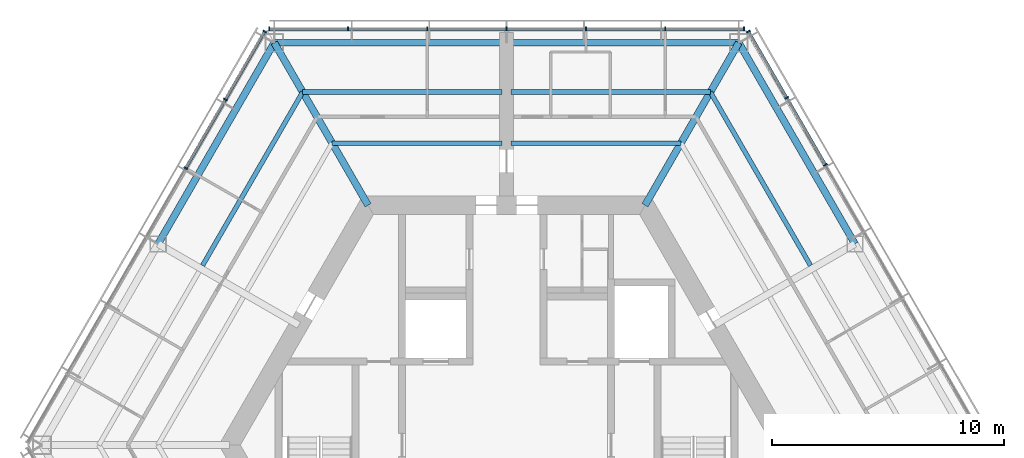
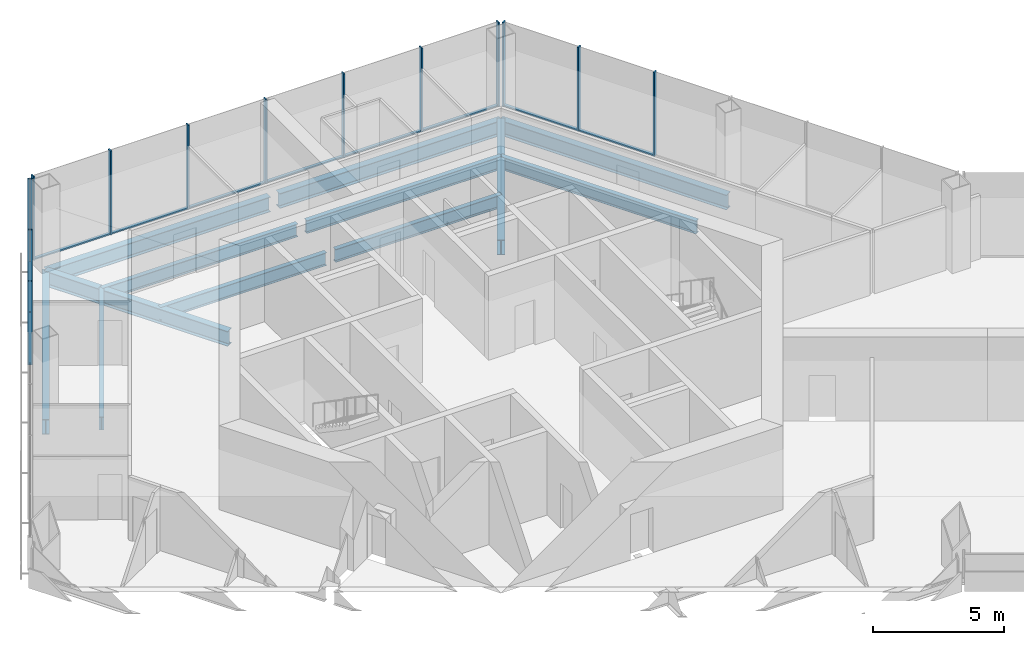
# One storey, part 5 of 13: 23 members, 12 beams, 3 elements without a shape of their own.
"""IFC4 building model written with IfcOpenShell, lengths in metres."""

from ifc_helpers import new_model, si_unit, direction, frame, origin, origin_2d, place, context, subcontext, project, spatial, rectangle, i_section, extrude, material, material_profile, profile_set, type_object, element, aggregate, save


model = new_model("IFC4")

# Units and contexts
model_context = context("Model", 3, precision=1e-05, world=origin(), true_north=direction((0.0, 1.0)))
body_context = subcontext(model_context, "Body", "Model", "MODEL_VIEW")
ifc_project = project(units=[si_unit("LENGTHUNIT", "METRE"), si_unit("AREAUNIT", "SQUARE_METRE"), si_unit("VOLUMEUNIT", "CUBIC_METRE"), si_unit("PLANEANGLEUNIT", "RADIAN"), si_unit("MASSUNIT", "GRAM", prefix="KILO")], contexts=[model_context])

# Site, building, storey
site_placement = place(None, origin())
site = spatial("IfcSite", under=ifc_project, at=site_placement, CompositionType="ELEMENT")
building_placement = place(site_placement, origin())
building = spatial("IfcBuilding", under=site, at=building_placement, Name="Kasaneha Research Tower", CompositionType="ELEMENT")
storey_placement = place(building_placement, frame((0.0, 0.0, 290.800048828125)))
storey = spatial("IfcBuildingStorey", under=building, at=storey_placement, Name="L73", CompositionType="ELEMENT", Elevation=290.800048828125)

# Beams
ifc_material_1 = material(Name="Steel SN490B", Category="steel")
ifc_material_profile_1 = material_profile(ifc_material_1, i_section(OverallWidth=0.199951171875, OverallDepth=0.60009765625, WebThickness=0.010986328125, FlangeThickness=0.01708984375, FilletRadius=0.012939453125, at=origin_2d()), Name="H-600x200x11x17")
ifc_profile_set_1 = profile_set([ifc_material_profile_1], Name="Steel SN490B")
beam_type_1 = type_object("IfcBeamType", Name="B1-3 secondary beam H-600x200x11x17", PredefinedType="JOIST", material=ifc_profile_set_1)
beam_1_placement = place(storey_placement, frame((8.775634765625, 15.199951171875, -0.449951171875), z_axis=(0.500017275495, -0.866015429543, 0.0), x_axis=(0.866015429543, 0.500017275495, 0.0)))
element("IfcBeam", 1, at=beam_1_placement, inside=storey, type_object=beam_type_1, Name="Secondary beam RS030R2 L73", PredefinedType="JOIST", context=body_context, shape_type="SweptSolid", body=[
    extrude(i_section(OverallWidth=0.199951171875, OverallDepth=0.60009765625, WebThickness=0.010986328125, FlangeThickness=0.01708984375, FilletRadius=0.012939453125, at=origin_2d()), origin(), (0.0, 0.0, 1.0), 8.625732421875),
])
beam_2_placement = place(storey_placement, frame((7.505615234375, 13.0, -0.449951171875), z_axis=(-1.0, 0.0, 0.0), x_axis=(0.0, -1.0, 0.0)))
element("IfcBeam", 2, at=beam_2_placement, inside=storey, type_object=beam_type_1, Name="Secondary beam RS090L1 L73", PredefinedType="JOIST", context=body_context, shape_type="SweptSolid", body=[
    extrude(i_section(OverallWidth=0.199951171875, OverallDepth=0.60009765625, WebThickness=0.010986328125, FlangeThickness=0.01708984375, FilletRadius=0.012939453125, at=origin_2d()), origin(), (0.0, 0.0, 1.0), 7.3056640625),
])
beam_3_placement = place(storey_placement, frame((8.775634765625, 15.199951171875, -0.449951171875), z_axis=(-1.0, 0.0, 0.0), x_axis=(0.0, -1.0, 0.0)))
element("IfcBeam", 3, at=beam_3_placement, inside=storey, type_object=beam_type_1, Name="Secondary beam RS090L2 L73", PredefinedType="JOIST", context=body_context, shape_type="SweptSolid", body=[
    extrude(i_section(OverallWidth=0.199951171875, OverallDepth=0.60009765625, WebThickness=0.010986328125, FlangeThickness=0.01708984375, FilletRadius=0.012939453125, at=origin_2d()), origin(), (0.0, 0.0, 1.0), 8.57568359375),
])
beam_4_placement = place(storey_placement, frame((-7.505615234375, 13.0, -0.449951171875), z_axis=(1.0, 0.0, 0.0), x_axis=(0.0, 1.0, 0.0)))
element("IfcBeam", 4, at=beam_4_placement, inside=storey, type_object=beam_type_1, Name="Secondary beam RS090R1 L73", PredefinedType="JOIST", context=body_context, shape_type="SweptSolid", body=[
    extrude(i_section(OverallWidth=0.199951171875, OverallDepth=0.60009765625, WebThickness=0.010986328125, FlangeThickness=0.01708984375, FilletRadius=0.012939453125, at=origin_2d()), origin(), (0.0, 0.0, 1.0), 7.3056640625),
])
beam_5_placement = place(storey_placement, frame((-8.775634765625, 15.199951171875, -0.449951171875), z_axis=(1.0, 0.0, 0.0), x_axis=(0.0, 1.0, 0.0)))
element("IfcBeam", 5, at=beam_5_placement, inside=storey, type_object=beam_type_1, Name="Secondary beam RS090R2 L73", PredefinedType="JOIST", context=body_context, shape_type="SweptSolid", body=[
    extrude(i_section(OverallWidth=0.199951171875, OverallDepth=0.60009765625, WebThickness=0.010986328125, FlangeThickness=0.01708984375, FilletRadius=0.012939453125, at=origin_2d()), origin(), (0.0, 0.0, 1.0), 8.57568359375),
])
beam_6_placement = place(storey_placement, frame((-8.775634765625, 15.199951171875, -0.449951171875), z_axis=(-0.500017275495, -0.866015429543, 0.0), x_axis=(0.866015429543, -0.500017275495, 0.0)))
element("IfcBeam", 6, at=beam_6_placement, inside=storey, type_object=beam_type_1, Name="Secondary beam RS150L2 L73", PredefinedType="JOIST", context=body_context, shape_type="SweptSolid", body=[
    extrude(i_section(OverallWidth=0.199951171875, OverallDepth=0.60009765625, WebThickness=0.010986328125, FlangeThickness=0.01708984375, FilletRadius=0.012939453125, at=origin_2d()), origin(), (0.0, 0.0, 1.0), 8.625732421875),
])

# Curtain wall, members
ifc_material_2 = material(Name="Glass and aluminium", Category="aluminium")
curtain_wall_type = type_object("IfcCurtainWallType", Name="Crown curtain wall", PredefinedType="USERDEFINED", material=ifc_material_2)
curtain_wall_1_placement = place(storey_placement, origin())
curtain_wall_1 = element("IfcCurtainWall", 7, at=curtain_wall_1_placement, inside=storey, type_object=curtain_wall_type, Name="CW-C L73 run 01a", ObjectType="UNITISED CURTAIN WALL", PredefinedType="USERDEFINED")
ifc_material_3 = material(Name="Aluminium 6063-T6", Category="aluminium")
ifc_material_profile_2 = material_profile(ifc_material_3, rectangle(XDim=0.06005859375, YDim=0.179931640625, at=origin_2d()), Name="CW-C mullion 60x180")
ifc_profile_set_2 = profile_set([ifc_material_profile_2], Name="Aluminium 6063-T6")
member_type_1 = type_object("IfcMemberType", Name="CW-C mullion", PredefinedType="MULLION", material=ifc_profile_set_2)
member_1_placement = place(storey_placement, frame((13.727294921875, 12.064453125, 0.0), z_axis=(0.0, 0.0, 1.0), x_axis=(-0.499999979232, 0.866025415775, 0.0)))
member_1 = element("IfcMember", 8, at=member_1_placement, type_object=member_type_1, Name="CW-C mullion 5", PredefinedType="MULLION", context=body_context, shape_type="SweptSolid", body=[
    extrude(rectangle(XDim=0.06005859375, YDim=0.179931640625, at=origin_2d()), origin(), (0.0, 0.0, 1.0), 3.89990234375),
])
member_2_placement = place(storey_placement, frame((12.061767578125, 14.94921875, 0.0), z_axis=(0.0, 0.0, 1.0), x_axis=(-0.499999979232, 0.866025415775, 0.0)))
member_2 = element("IfcMember", 9, at=member_2_placement, type_object=member_type_1, Name="CW-C mullion 6", PredefinedType="MULLION", context=body_context, shape_type="SweptSolid", body=[
    extrude(rectangle(XDim=0.06005859375, YDim=0.179931640625, at=origin_2d()), origin(), (0.0, 0.0, 1.0), 3.89990234375),
])
member_3_placement = place(storey_placement, frame((10.411376953125, 17.807861328125, 0.0), z_axis=(0.0, 0.0, 1.0), x_axis=(-0.499999979232, 0.866025415775, 0.0)))
member_3 = element("IfcMember", 10, at=member_3_placement, type_object=member_type_1, Name="CW-C mullion 7", PredefinedType="MULLION", context=body_context, shape_type="SweptSolid", body=[
    extrude(rectangle(XDim=0.06005859375, YDim=0.179931640625, at=origin_2d()), origin(), (0.0, 0.0, 1.0), 3.89990234375),
])

curtain_wall_2_placement = place(storey_placement, origin())
curtain_wall_2 = element("IfcCurtainWall", 11, at=curtain_wall_2_placement, inside=storey, type_object=curtain_wall_type, Name="CW-C L73 run 02a", ObjectType="UNITISED CURTAIN WALL", PredefinedType="USERDEFINED")
member_4_placement = place(storey_placement, frame((10.21630859375, 17.92041015625, 0.0), z_axis=(0.0, 0.0, 1.0), x_axis=(-1.0, 0.0, 0.0)))
member_4 = element("IfcMember", 12, at=member_4_placement, type_object=member_type_1, Name="CW-C mullion 1", PredefinedType="MULLION", context=body_context, shape_type="SweptSolid", body=[
    extrude(rectangle(XDim=0.06005859375, YDim=0.179931640625, at=origin_2d()), origin(), (0.0, 0.0, 1.0), 3.89990234375),
])
member_5_placement = place(storey_placement, frame((6.8310546875, 17.92041015625, 0.0), z_axis=(0.0, 0.0, 1.0), x_axis=(-1.0, 0.0, 0.0)))
member_5 = element("IfcMember", 13, at=member_5_placement, type_object=member_type_1, Name="CW-C mullion 2", PredefinedType="MULLION", context=body_context, shape_type="SweptSolid", body=[
    extrude(rectangle(XDim=0.06005859375, YDim=0.179931640625, at=origin_2d()), origin(), (0.0, 0.0, 1.0), 3.89990234375),
])
member_6_placement = place(storey_placement, frame((3.41552734375, 17.92041015625, 0.0), z_axis=(0.0, 0.0, 1.0), x_axis=(-1.0, 0.0, 0.0)))
member_6 = element("IfcMember", 14, at=member_6_placement, type_object=member_type_1, Name="CW-C mullion 3", PredefinedType="MULLION", context=body_context, shape_type="SweptSolid", body=[
    extrude(rectangle(XDim=0.06005859375, YDim=0.179931640625, at=origin_2d()), origin(), (0.0, 0.0, 1.0), 3.89990234375),
])
member_7_placement = place(storey_placement, frame((0.0, 17.92041015625, 0.0), z_axis=(0.0, 0.0, 1.0), x_axis=(-1.0, 0.0, 0.0)))
member_7 = element("IfcMember", 15, at=member_7_placement, type_object=member_type_1, Name="CW-C mullion 4", PredefinedType="MULLION", context=body_context, shape_type="SweptSolid", body=[
    extrude(rectangle(XDim=0.06005859375, YDim=0.179931640625, at=origin_2d()), origin(), (0.0, 0.0, 1.0), 3.89990234375),
])
member_8_placement = place(storey_placement, frame((-3.41552734375, 17.92041015625, 0.0), z_axis=(0.0, 0.0, 1.0), x_axis=(-1.0, 0.0, 0.0)))
member_8 = element("IfcMember", 16, at=member_8_placement, type_object=member_type_1, Name="CW-C mullion 5", PredefinedType="MULLION", context=body_context, shape_type="SweptSolid", body=[
    extrude(rectangle(XDim=0.06005859375, YDim=0.179931640625, at=origin_2d()), origin(), (0.0, 0.0, 1.0), 3.89990234375),
])
member_9_placement = place(storey_placement, frame((-6.8310546875, 17.92041015625, 0.0), z_axis=(0.0, 0.0, 1.0), x_axis=(-1.0, 0.0, 0.0)))
member_9 = element("IfcMember", 17, at=member_9_placement, type_object=member_type_1, Name="CW-C mullion 6", PredefinedType="MULLION", context=body_context, shape_type="SweptSolid", body=[
    extrude(rectangle(XDim=0.06005859375, YDim=0.179931640625, at=origin_2d()), origin(), (0.0, 0.0, 1.0), 3.89990234375),
])
member_10_placement = place(storey_placement, frame((-10.21630859375, 17.92041015625, 0.0), z_axis=(0.0, 0.0, 1.0), x_axis=(-1.0, 0.0, 0.0)))
member_10 = element("IfcMember", 18, at=member_10_placement, type_object=member_type_1, Name="CW-C mullion 7", PredefinedType="MULLION", context=body_context, shape_type="SweptSolid", body=[
    extrude(rectangle(XDim=0.06005859375, YDim=0.179931640625, at=origin_2d()), origin(), (0.0, 0.0, 1.0), 3.89990234375),
])

curtain_wall_3_placement = place(storey_placement, origin())
curtain_wall_3 = element("IfcCurtainWall", 19, at=curtain_wall_3_placement, inside=storey, type_object=curtain_wall_type, Name="CW-C L73 run 03a", ObjectType="UNITISED CURTAIN WALL", PredefinedType="USERDEFINED")
member_11_placement = place(storey_placement, frame((-10.411376953125, 17.807861328125, 0.0), z_axis=(0.0, 0.0, 1.0), x_axis=(-0.499999995722, -0.866025406254, 0.0)))
member_11 = element("IfcMember", 20, at=member_11_placement, type_object=member_type_1, Name="CW-C mullion 1", PredefinedType="MULLION", context=body_context, shape_type="SweptSolid", body=[
    extrude(rectangle(XDim=0.06005859375, YDim=0.179931640625, at=origin_2d()), origin(), (0.0, 0.0, 1.0), 3.89990234375),
])
member_12_placement = place(storey_placement, frame((-12.104248046875, 14.8759765625, 0.0), z_axis=(0.0, 0.0, 1.0), x_axis=(-0.499999995722, -0.866025406254, 0.0)))
member_12 = element("IfcMember", 21, at=member_12_placement, type_object=member_type_1, Name="CW-C mullion 2", PredefinedType="MULLION", context=body_context, shape_type="SweptSolid", body=[
    extrude(rectangle(XDim=0.06005859375, YDim=0.179931640625, at=origin_2d()), origin(), (0.0, 0.0, 1.0), 3.89990234375),
])
member_13_placement = place(storey_placement, frame((-13.811767578125, 11.918212890625, 0.0), z_axis=(0.0, 0.0, 1.0), x_axis=(-0.499999995722, -0.866025406254, 0.0)))
member_13 = element("IfcMember", 22, at=member_13_placement, type_object=member_type_1, Name="CW-C mullion 3", PredefinedType="MULLION", context=body_context, shape_type="SweptSolid", body=[
    extrude(rectangle(XDim=0.06005859375, YDim=0.179931640625, at=origin_2d()), origin(), (0.0, 0.0, 1.0), 3.89990234375),
])

# Member
ifc_material_4 = material(Name="Aluminium 6063-T6", Category="aluminium")
ifc_material_profile_3 = material_profile(ifc_material_4, rectangle(XDim=0.1298828125, YDim=0.06005859375, at=origin_2d()), Name="CW-C transom 130x60")
ifc_profile_set_3 = profile_set([ifc_material_profile_3], Name="Aluminium 6063-T6")
member_type_2 = type_object("IfcMemberType", Name="CW-C transom", PredefinedType="USERDEFINED", material=ifc_profile_set_3)
member_14_placement = place(storey_placement, frame((13.71240234375, 12.090576171875, 0.030029296875), z_axis=(-0.500000270186, 0.866025247793, 0.0), x_axis=(-0.866025247793, -0.500000270186, 0.0)))
member_14 = element("IfcMember", 23, at=member_14_placement, type_object=member_type_2, Name="CW-C transom 5", ObjectType="TRANSOM", PredefinedType="USERDEFINED", context=body_context, shape_type="SweptSolid", body=[
    extrude(rectangle(XDim=0.1298828125, YDim=0.06005859375, at=origin_2d()), origin(), (0.0, 0.0, 1.0), 3.27099609375),
])

member_15_placement = place(storey_placement, frame((12.046875, 14.97509765625, 0.030029296875), z_axis=(-0.499955025697, 0.866051368154, 0.0), x_axis=(-0.866051368154, -0.499955025697, 0.0)))
member_15 = element("IfcMember", 24, at=member_15_placement, type_object=member_type_2, Name="CW-C transom 6", ObjectType="TRANSOM", PredefinedType="USERDEFINED", context=body_context, shape_type="SweptSolid", body=[
    extrude(rectangle(XDim=0.1298828125, YDim=0.06005859375, at=origin_2d()), origin(), (0.0, 0.0, 1.0), 3.240966796875),
])

aggregate(curtain_wall_1, [member_1, member_2, member_3, member_14, member_15])

member_16_placement = place(storey_placement, frame((10.1865234375, 17.92041015625, 0.030029296875), z_axis=(-1.0, 0.0, 0.0), x_axis=(0.0, -1.0, 0.0)))
member_16 = element("IfcMember", 25, at=member_16_placement, type_object=member_type_2, Name="CW-C transom 1", ObjectType="TRANSOM", PredefinedType="USERDEFINED", context=body_context, shape_type="SweptSolid", body=[
    extrude(rectangle(XDim=0.1298828125, YDim=0.06005859375, at=origin_2d()), origin(), (0.0, 0.0, 1.0), 3.32568359375),
])

member_17_placement = place(storey_placement, frame((6.801025390625, 17.92041015625, 0.030029296875), z_axis=(-1.0, 0.0, 0.0), x_axis=(0.0, -1.0, 0.0)))
member_17 = element("IfcMember", 26, at=member_17_placement, type_object=member_type_2, Name="CW-C transom 2", ObjectType="TRANSOM", PredefinedType="USERDEFINED", context=body_context, shape_type="SweptSolid", body=[
    extrude(rectangle(XDim=0.1298828125, YDim=0.06005859375, at=origin_2d()), origin(), (0.0, 0.0, 1.0), 3.35546875),
])

member_18_placement = place(storey_placement, frame((3.385498046875, 17.92041015625, 0.030029296875), z_axis=(-1.0, 0.0, 0.0), x_axis=(0.0, -1.0, 0.0)))
member_18 = element("IfcMember", 27, at=member_18_placement, type_object=member_type_2, Name="CW-C transom 3", ObjectType="TRANSOM", PredefinedType="USERDEFINED", context=body_context, shape_type="SweptSolid", body=[
    extrude(rectangle(XDim=0.1298828125, YDim=0.06005859375, at=origin_2d()), origin(), (0.0, 0.0, 1.0), 3.35546875),
])

member_19_placement = place(storey_placement, frame((-0.030029296875, 17.92041015625, 0.030029296875), z_axis=(-1.0, 0.0, 0.0), x_axis=(0.0, -1.0, 0.0)))
member_19 = element("IfcMember", 28, at=member_19_placement, type_object=member_type_2, Name="CW-C transom 4", ObjectType="TRANSOM", PredefinedType="USERDEFINED", context=body_context, shape_type="SweptSolid", body=[
    extrude(rectangle(XDim=0.1298828125, YDim=0.06005859375, at=origin_2d()), origin(), (0.0, 0.0, 1.0), 3.35546875),
])

member_20_placement = place(storey_placement, frame((-3.445556640625, 17.92041015625, 0.030029296875), z_axis=(-1.0, 0.0, 0.0), x_axis=(0.0, -1.0, 0.0)))
member_20 = element("IfcMember", 29, at=member_20_placement, type_object=member_type_2, Name="CW-C transom 5", ObjectType="TRANSOM", PredefinedType="USERDEFINED", context=body_context, shape_type="SweptSolid", body=[
    extrude(rectangle(XDim=0.1298828125, YDim=0.06005859375, at=origin_2d()), origin(), (0.0, 0.0, 1.0), 3.35546875),
])

member_21_placement = place(storey_placement, frame((-6.86083984375, 17.92041015625, 0.030029296875), z_axis=(-1.0, 0.0, 0.0), x_axis=(0.0, -1.0, 0.0)))
member_21 = element("IfcMember", 30, at=member_21_placement, type_object=member_type_2, Name="CW-C transom 6", ObjectType="TRANSOM", PredefinedType="USERDEFINED", context=body_context, shape_type="SweptSolid", body=[
    extrude(rectangle(XDim=0.1298828125, YDim=0.06005859375, at=origin_2d()), origin(), (0.0, 0.0, 1.0), 3.32568359375),
])

aggregate(curtain_wall_2, [member_4, member_5, member_6, member_7, member_8, member_9, member_10, member_16, member_17, member_18, member_19, member_20, member_21])

member_22_placement = place(storey_placement, frame((-10.426513671875, 17.781982421875, 0.030029296875), z_axis=(-0.49997666526, -0.866038875684, 0.0), x_axis=(0.866038875684, -0.49997666526, 0.0)))
member_22 = element("IfcMember", 31, at=member_22_placement, type_object=member_type_2, Name="CW-C transom 1", ObjectType="TRANSOM", PredefinedType="USERDEFINED", context=body_context, shape_type="SweptSolid", body=[
    extrude(rectangle(XDim=0.1298828125, YDim=0.06005859375, at=origin_2d()), origin(), (0.0, 0.0, 1.0), 3.325439453125),
])

member_23_placement = place(storey_placement, frame((-12.119140625, 14.85009765625, 0.030029296875), z_axis=(-0.499989072476, -0.866031712701, 0.0), x_axis=(0.866031712701, -0.499989072476, 0.0)))
member_23 = element("IfcMember", 32, at=member_23_placement, type_object=member_type_2, Name="CW-C transom 2", ObjectType="TRANSOM", PredefinedType="USERDEFINED", context=body_context, shape_type="SweptSolid", body=[
    extrude(rectangle(XDim=0.1298828125, YDim=0.06005859375, at=origin_2d()), origin(), (0.0, 0.0, 1.0), 3.35546875),
])

aggregate(curtain_wall_3, [member_11, member_12, member_13, member_22, member_23])

# Beams
ifc_material_5 = material(Name="Steel SN490B", Category="steel")
ifc_material_profile_4 = material_profile(ifc_material_5, i_section(OverallWidth=0.300048828125, OverallDepth=0.699951171875, WebThickness=0.012939453125, FlangeThickness=0.02392578125, FilletRadius=0.01806640625, at=origin_2d()), Name="H-700x300x13x24")
ifc_profile_set_4 = profile_set([ifc_material_profile_4], Name="Steel SN490B")
beam_type_2 = type_object("IfcBeamType", Name="G1-3 radial girder H-700x300x13x24", PredefinedType="BEAM", material=ifc_profile_set_4)
for number, where, z_axis, x_axis, name in (
    (33, (5.961181640625, 10.324951171875, -0.5), (0.49999105496, 0.866030568144, 0.0), (-0.866030568144, 0.49999105496, 0.0), "Radial girder RV060 L73"),
    (34, (-5.961181640625, 10.324951171875, -0.5), (-0.49999105496, 0.866030568144, 0.0), (-0.866030568144, -0.49999105496, 0.0), "Radial girder RV120 L73"),
):
    element("IfcBeam", number, at=place(storey_placement, frame(where, z_axis=z_axis, x_axis=x_axis)), inside=storey, type_object=beam_type_2, Name=name, PredefinedType="BEAM", context=body_context, shape_type="SweptSolid", body=[
        extrude(i_section(OverallWidth=0.300048828125, OverallDepth=0.699951171875, WebThickness=0.012939453125, FlangeThickness=0.02392578125, FilletRadius=0.01806640625, at=origin_2d()), origin(), (0.0, 0.0, 1.0), 8.077880859375),
    ])
ifc_material_6 = material(Name="Steel SN490B", Category="steel")
ifc_material_profile_5 = material_profile(ifc_material_6, i_section(OverallWidth=0.300048828125, OverallDepth=0.69189453125, WebThickness=0.012939453125, FlangeThickness=0.02001953125, FilletRadius=0.01806640625, at=origin_2d()), Name="H-692x300x13x20")
ifc_profile_set_5 = profile_set([ifc_material_profile_5], Name="Steel SN490B")
beam_type_3 = type_object("IfcBeamType", Name="G3-3 plate edge girder H-692x300x13x20", PredefinedType="BEAM", material=ifc_profile_set_5)
for number, where, z_axis, x_axis, name in (
    (35, (10.0, 17.320556640625, -0.49609375), (-1.0, 0.0, 0.0), (0.0, -1.0, 0.0), "Plate edge girder PEAP L73"),
    (36, (-10.0, 17.320556640625, -0.49609375), (1.0, 0.0, 0.0), (0.0, 1.0, 0.0), "Plate edge girder PEAN L73"),
):
    element("IfcBeam", number, at=place(storey_placement, frame(where, z_axis=z_axis, x_axis=x_axis)), inside=storey, type_object=beam_type_3, Name=name, PredefinedType="BEAM", context=body_context, shape_type="SweptSolid", body=[
        extrude(i_section(OverallWidth=0.300048828125, OverallDepth=0.69189453125, WebThickness=0.012939453125, FlangeThickness=0.02001953125, FilletRadius=0.01806640625, at=origin_2d()), origin(), (0.0, 0.0, 1.0), 9.800048828125),
    ])
ifc_material_7 = material(Name="Steel SN490B", Category="steel")
ifc_material_profile_6 = material_profile(ifc_material_7, i_section(OverallWidth=0.300048828125, OverallDepth=0.69189453125, WebThickness=0.012939453125, FlangeThickness=0.02001953125, FilletRadius=0.01806640625, at=origin_2d()), Name="H-692x300x13x20")
ifc_profile_set_6 = profile_set([ifc_material_profile_6], Name="Steel SN490B")
beam_type_4 = type_object("IfcBeamType", Name="SB1-3 spandrel beam H-692x300x13x20", PredefinedType="SPANDREL", material=ifc_profile_set_6)
for number, where, z_axis, x_axis, name in (
    (37, (10.0, 17.320556640625, -0.49609375), (0.499993662806, -0.866029062534, 0.0), (0.866029062534, 0.499993662806, 0.0), "Spandrel beam SR030R L73"),
    (38, (-10.0, 17.320556640625, -0.49609375), (-0.499993662806, -0.866029062534, 0.0), (0.866029062534, -0.499993662806, 0.0), "Spandrel beam SR150L L73"),
):
    element("IfcBeam", number, at=place(storey_placement, frame(where, z_axis=z_axis, x_axis=x_axis)), inside=storey, type_object=beam_type_4, Name=name, PredefinedType="SPANDREL", context=body_context, shape_type="SweptSolid", body=[
        extrude(i_section(OverallWidth=0.300048828125, OverallDepth=0.69189453125, WebThickness=0.012939453125, FlangeThickness=0.02001953125, FilletRadius=0.01806640625, at=origin_2d()), origin(), (0.0, 0.0, 1.0), 10.000244140625),
    ])

save(model, "model.ifc")
